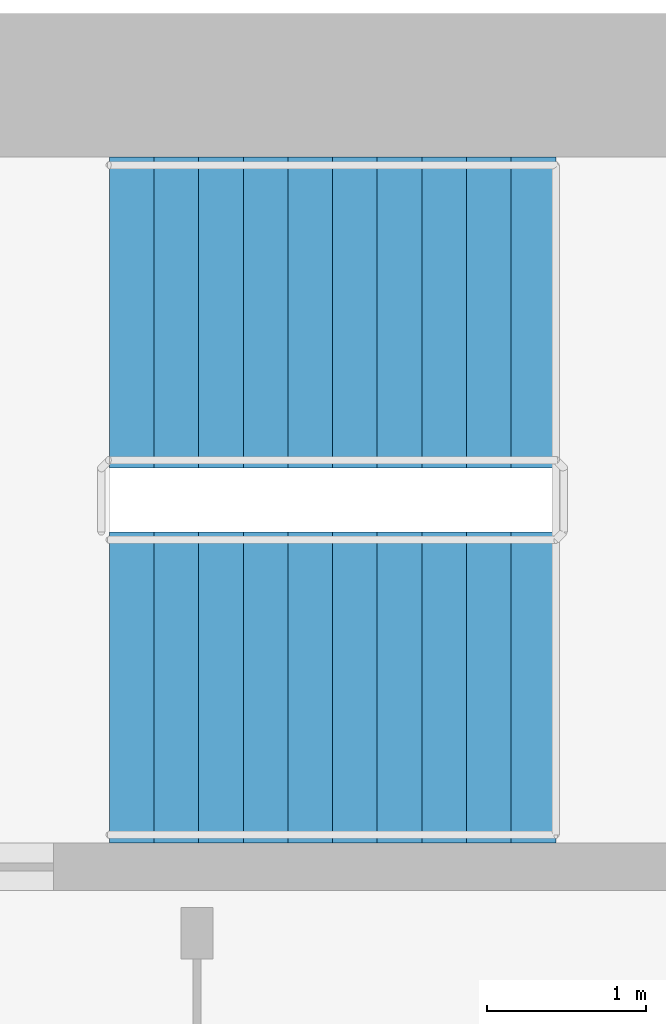
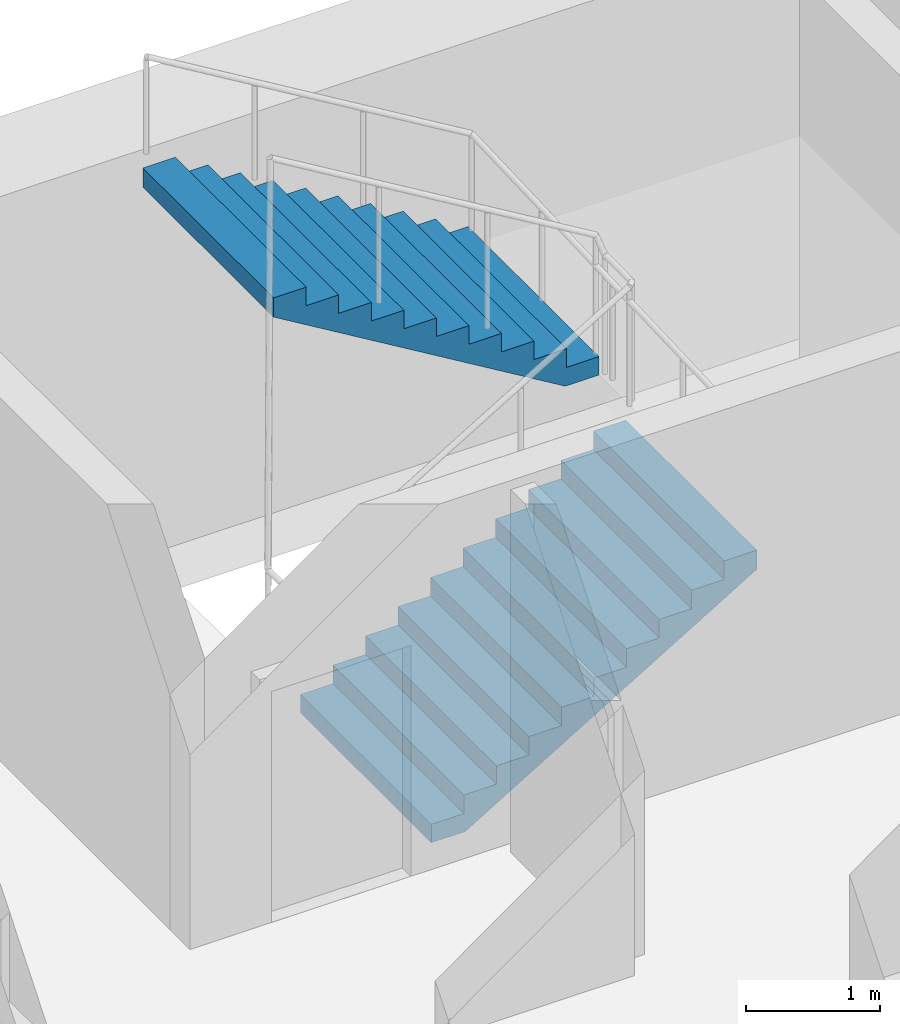
# One storey, part 17 of 22: 2 stair flights, 1 element without a shape of its own.
"""IFC4 building model written with IfcOpenShell, lengths in metres."""

import ifcopenshell
import ifcopenshell.guid

model = None  # the IFC model being written
_history = None  # IfcOwnerHistory: only IFC2X3 demands one
_inside = {}  # id of a spatial element -> (the spatial element, [elements in it])
_under = {}  # id of a project, library or spatial element -> (it, [spatial elements below it])
_declared = {}  # id of a project -> (the project, [libraries it declares])
_typed = {}  # id of a type object -> (the type object, [elements of that type])
_made_of = {}  # id of a material, layer set ... -> (it, [elements and type objects made of it])


def new_model(schema):
    """Start an empty IFC model of exactly this schema.

    Asked for "IFC4X3", IfcOpenShell would pick the latest addendum, in which some entities
    have other attributes; the version numbers below select the first issue.
    IFC2X3 requires an IfcOwnerHistory on every rooted entity: one is made here for all.
    """
    global model, _history
    if schema == "IFC4X3":
        model = ifcopenshell.file(schema_version=(4, 3, 0, 0))
    else:
        model = ifcopenshell.file(schema=schema)
    _inside.clear()
    _under.clear()
    _declared.clear()
    _typed.clear()
    _made_of.clear()
    _history = None
    if model.schema == "IFC2X3":
        org = make("IfcOrganization", Name="unknown")
        user = make(
            "IfcPersonAndOrganization",
            ThePerson=make("IfcPerson", FamilyName="unknown"),
            TheOrganization=org,
        )
        app = make(
            "IfcApplication",
            ApplicationDeveloper=org,
            Version="unknown",
            ApplicationFullName="unknown",
            ApplicationIdentifier="unknown",
        )
        _history = make(
            "IfcOwnerHistory",
            OwningUser=user,
            OwningApplication=app,
            ChangeAction="ADDED",
            CreationDate=0,
        )
    return model


def make(cls, **values):
    """One entity of the class cls with the attributes given. An attribute that is None is left unset."""
    return model.create_entity(
        cls, **{name: value for name, value in values.items() if value is not None}
    )


def rooted(cls, **values):
    """An entity with a GlobalId (a new one), such as an element, a storey or a relation."""
    return make(cls, GlobalId=ifcopenshell.guid.new(), OwnerHistory=_history, **values)


def si_unit(unit_type, name, prefix=None):
    """IfcSIUnit, for example si_unit("LENGTHUNIT", "METRE", prefix="MILLI")."""
    return make("IfcSIUnit", UnitType=unit_type, Prefix=prefix, Name=name)


def assignment(units):
    """IfcUnitAssignment: the units of a project."""
    return None if units is None else make("IfcUnitAssignment", Units=units)


def point(xyz):
    """IfcCartesianPoint."""
    return None if xyz is None else make("IfcCartesianPoint", Coordinates=xyz)


def direction(xyz):
    """IfcDirection."""
    return None if xyz is None else make("IfcDirection", DirectionRatios=xyz)


def frame(location, z_axis=None, x_axis=None):
    """IfcAxis2Placement3D, a coordinate frame: its origin and axes. An axis left out is left unset."""
    return make(
        "IfcAxis2Placement3D",
        Location=point(location),
        Axis=direction(z_axis),
        RefDirection=direction(x_axis),
    )


def origin():
    """The frame at (0, 0, 0) with its axes left unset."""
    return frame((0.0, 0.0, 0.0))


def place(relative_to, where):
    """IfcLocalPlacement: puts the frame where relative to a parent placement (None: the world)."""
    return make(
        "IfcLocalPlacement", PlacementRelTo=relative_to, RelativePlacement=where
    )


def context(
    kind, dimensions, precision=None, world=None, true_north=None, identifier=None
):
    """IfcGeometricRepresentationContext, for example the 3D "Model" context."""
    return make(
        "IfcGeometricRepresentationContext",
        ContextIdentifier=identifier,
        ContextType=kind,
        CoordinateSpaceDimension=dimensions,
        Precision=precision,
        WorldCoordinateSystem=world,
        TrueNorth=true_north,
    )


def subcontext(parent, identifier, kind, view, scale=None):
    """IfcGeometricRepresentationSubContext, for example "Body" below "Model"."""
    return make(
        "IfcGeometricRepresentationSubContext",
        ContextIdentifier=identifier,
        ContextType=kind,
        ParentContext=parent,
        TargetScale=scale,
        TargetView=view,
    )


def project(units=None, contexts=None):
    """IfcProject with its units and contexts."""
    return rooted(
        "IfcProject",
        Name="project",
        RepresentationContexts=contexts,
        UnitsInContext=assignment(units),
    )


def spatial(cls, under=None, at=None, **own):
    """A site, building, storey or space (cls), placed at a placement, below another one or the project."""
    s = rooted(cls, ObjectPlacement=at, **own)
    if under is not None:
        _under.setdefault(under.id(), (under, []))[1].append(s)
    return s


def polyline(points):
    """IfcPolyline through the points."""
    return make("IfcPolyline", Points=[point(p) for p in points])


def outline(outer, holes=None, kind="AREA"):
    """IfcArbitraryClosedProfileDef: a profile drawn as a closed curve; with holes, ...WithVoids."""
    if holes is None:
        return make("IfcArbitraryClosedProfileDef", ProfileType=kind, OuterCurve=outer)
    return make(
        "IfcArbitraryProfileDefWithVoids",
        ProfileType=kind,
        OuterCurve=outer,
        InnerCurves=holes,
    )


def extrude(swept, where, along, depth):
    """IfcExtrudedAreaSolid: the profile swept, set in the frame where, extruded along a direction by depth."""
    return make(
        "IfcExtrudedAreaSolid",
        SweptArea=swept,
        Position=where,
        ExtrudedDirection=direction(along),
        Depth=depth,
    )


def shape(context_of_items, identifier, shape_type, items):
    """IfcShapeRepresentation: the items that make up one representation, for example the "Body"."""
    return make(
        "IfcShapeRepresentation",
        ContextOfItems=context_of_items,
        RepresentationIdentifier=identifier,
        RepresentationType=shape_type,
        Items=items,
    )


def material(Name=None, Category=None):
    """IfcMaterial."""
    return make("IfcMaterial", Name=Name, Category=Category)


def made_of(thing, what):
    """Note that an element or type object is made of a material, layer set ...; save() writes the relation."""
    if what is not None:
        _made_of.setdefault(what.id(), (what, []))[1].append(thing)
    return thing


def type_object(cls, material=None, **own):
    """A type object (cls), such as IfcWallType, which elements share."""
    return made_of(rooted(cls, **own), material)


def element(
    cls,
    number,
    at=None,
    inside=None,
    cuts=None,
    type_object=None,
    material=None,
    context=None,
    identifier="Body",
    shape_type=None,
    held_by="IfcProductDefinitionShape",
    body=None,
    shapes=None,
    **own,
):
    """One element of the class cls, such as IfcWall. Its Tag is "e" and its number.

    at: its placement. inside: the storey or other place that contains it. cuts: it is an
    opening in that element (IfcRelVoidsElement). A single representation is given by context,
    identifier, shape_type and body (its items); several are given by shapes. held_by: the class
    of the entity that holds the representations. save() writes the other relations.
    """
    e = rooted(cls, Tag="e%d" % number, ObjectPlacement=at, **own)
    if body is not None:
        shapes = [shape(context, identifier, shape_type, body)]
    if shapes is not None:
        e.Representation = make(held_by, Representations=shapes)
    if inside is not None:
        _inside.setdefault(inside.id(), (inside, []))[1].append(e)
    if cuts is not None:
        rooted(
            "IfcRelVoidsElement", RelatingBuildingElement=cuts, RelatedOpeningElement=e
        )
    if type_object is not None:
        _typed.setdefault(type_object.id(), (type_object, []))[1].append(e)
    return made_of(e, material)


def aggregate(whole, parts):
    """IfcRelAggregates: a whole, such as a stair, and the parts it consists of."""
    return rooted("IfcRelAggregates", RelatingObject=whole, RelatedObjects=parts)


def save(model, path):
    """Write the relations noted so far, then the file.

    IfcRelAggregates (storeys below a building ...), IfcRelContainedInSpatialStructure (elements
    in a storey), IfcRelDefinesByType, IfcRelAssociatesMaterial and IfcRelDeclares: one each for
    every whole, place, type object, material and project.
    """
    for whole, parts in _under.values():
        aggregate(whole, parts)
    for where, things in _inside.values():
        rooted(
            "IfcRelContainedInSpatialStructure",
            RelatedElements=things,
            RelatingStructure=where,
        )
    for kind, things in _typed.values():
        rooted("IfcRelDefinesByType", RelatedObjects=things, RelatingType=kind)
    for what, things in _made_of.values():
        rooted("IfcRelAssociatesMaterial", RelatedObjects=things, RelatingMaterial=what)
    for by, libraries in _declared.values():
        rooted("IfcRelDeclares", RelatingContext=by, RelatedDefinitions=libraries)
    model.write(path)


model = new_model("IFC4")

# Units and contexts
model_context = context("Model", 3, precision=1e-05, world=origin(), true_north=direction((0.0, 1.0)))
body_context = subcontext(model_context, "Body", "Model", "MODEL_VIEW")
ifc_project = project(units=[si_unit("LENGTHUNIT", "METRE"), si_unit("AREAUNIT", "SQUARE_METRE"), si_unit("VOLUMEUNIT", "CUBIC_METRE"), si_unit("PLANEANGLEUNIT", "RADIAN"), si_unit("MASSUNIT", "GRAM", prefix="KILO")], contexts=[model_context])

# Site, building, storey
site_placement = place(None, origin())
site = spatial("IfcSite", under=ifc_project, at=site_placement, CompositionType="ELEMENT")
building_placement = place(site_placement, origin())
building = spatial("IfcBuilding", under=site, at=building_placement, Name="Hunhe Ridgeline Campus", CompositionType="ELEMENT")
storey_placement = place(building_placement, frame((0.0, 0.0, 141.199951171875)))
storey = spatial("IfcBuildingStorey", under=building, at=storey_placement, Name="L35", CompositionType="ELEMENT", Elevation=141.199951171875)

# Stair, stair flights
ifc_material = material(Name="Concrete C40", Category="concrete")
stair_type = type_object("IfcStairType", Name="Reinforced concrete dog-leg stair 1950 Concrete C40", PredefinedType="HALF_TURN_STAIR", material=ifc_material)
stair_placement = place(storey_placement, origin())
stair = element("IfcStair", 1, at=stair_placement, inside=storey, type_object=stair_type, Name="L35 E2", PredefinedType="HALF_TURN_STAIR")
stair_flight_type = type_object("IfcStairFlightType", Name="Reinforced concrete stair flight 1950 Concrete C40", PredefinedType="STRAIGHT", material=ifc_material)
stair_flight_1_placement = place(storey_placement, frame((51.64990234375, 94.77490234375, 0.0), z_axis=(0.0, 0.0, 1.0), x_axis=(1.0, 0.0, 0.0)))
stair_flight_1 = element("IfcStairFlight", 2, at=stair_flight_1_placement, type_object=stair_flight_type, Name="ST6 flight 1", NumberOfRisers=11, NumberOfTreads=10, PredefinedType="STRAIGHT", RiserHeight=0.168181818, TreadLength=0.28, context=body_context, shape_type="SweptSolid", body=[
    extrude(outline(polyline([(0.0, 0.0), (0.0, 0.168212890625), (0.280029296875, 0.168212890625), (0.280029296875, 0.33642578125), (0.56005859375, 0.33642578125), (0.56005859375, 0.504638671875), (0.840087890625, 0.504638671875), (0.840087890625, 0.672607421875), (1.1201171875, 0.672607421875), (1.1201171875, 0.8408203125), (1.39990234375, 0.8408203125), (1.39990234375, 1.009033203125), (1.679931640625, 1.009033203125), (1.679931640625, 1.17724609375), (1.9599609375, 1.17724609375), (1.9599609375, 1.345458984375), (2.239990234375, 1.345458984375), (2.239990234375, 1.513671875), (2.52001953125, 1.513671875), (2.52001953125, 1.681884765625), (2.800048828125, 1.681884765625), (2.800048828125, 1.85009765625), (2.800048828125, 1.5068359375), (0.291015625, 0.0), (0.0, 0.0)])), frame((0.0, 0.97509765625, 0.0), z_axis=(0.0, -1.0, 0.0), x_axis=(1.0, 0.0, 0.0)), (0.0, 0.0, 1.0), 1.949951171875),
    extrude(outline(polyline([(0.030029296875, 0.030029296875), (0.030029296875, 0.13818359375), (0.31005859375, 0.13818359375), (0.31005859375, 0.306396484375), (0.590087890625, 0.306396484375), (0.590087890625, 0.474609375), (0.8701171875, 0.474609375), (0.8701171875, 0.642578125), (1.14990234375, 0.642578125), (1.14990234375, 0.810791015625), (1.429931640625, 0.810791015625), (1.429931640625, 0.97900390625), (1.7099609375, 0.97900390625), (1.7099609375, 1.147216796875), (1.989990234375, 1.147216796875), (1.989990234375, 1.3154296875), (2.27001953125, 1.3154296875), (2.27001953125, 1.483642578125), (2.550048828125, 1.483642578125), (2.550048828125, 1.65185546875), (2.77001953125, 1.65185546875), (2.77001953125, 1.52392578125), (0.28271484375, 0.030029296875), (0.030029296875, 0.030029296875)])), frame((0.0, -0.070068359375, 0.0), z_axis=(0.0, -1.0, 0.0), x_axis=(1.0, 0.0, 0.0)), (0.0, 0.0, 1.0), 0.019775390625),
    extrude(outline(polyline([(0.030029296875, 0.030029296875), (0.030029296875, 0.13818359375), (0.31005859375, 0.13818359375), (0.31005859375, 0.306396484375), (0.590087890625, 0.306396484375), (0.590087890625, 0.474609375), (0.8701171875, 0.474609375), (0.8701171875, 0.642578125), (1.14990234375, 0.642578125), (1.14990234375, 0.810791015625), (1.429931640625, 0.810791015625), (1.429931640625, 0.97900390625), (1.7099609375, 0.97900390625), (1.7099609375, 1.147216796875), (1.989990234375, 1.147216796875), (1.989990234375, 1.3154296875), (2.27001953125, 1.3154296875), (2.27001953125, 1.483642578125), (2.550048828125, 1.483642578125), (2.550048828125, 1.65185546875), (2.77001953125, 1.65185546875), (2.77001953125, 1.52392578125), (0.28271484375, 0.030029296875), (0.030029296875, 0.030029296875)])), frame((0.0, 0.010009765625, 0.0), z_axis=(0.0, -1.0, 0.0), x_axis=(1.0, 0.0, 0.0)), (0.0, 0.0, 1.0), 0.019775390625),
    extrude(outline(polyline([(0.030029296875, 0.030029296875), (0.030029296875, 0.13818359375), (0.31005859375, 0.13818359375), (0.31005859375, 0.306396484375), (0.590087890625, 0.306396484375), (0.590087890625, 0.474609375), (0.8701171875, 0.474609375), (0.8701171875, 0.642578125), (1.14990234375, 0.642578125), (1.14990234375, 0.810791015625), (1.429931640625, 0.810791015625), (1.429931640625, 0.97900390625), (1.7099609375, 0.97900390625), (1.7099609375, 1.147216796875), (1.989990234375, 1.147216796875), (1.989990234375, 1.3154296875), (2.27001953125, 1.3154296875), (2.27001953125, 1.483642578125), (2.550048828125, 1.483642578125), (2.550048828125, 1.65185546875), (2.77001953125, 1.65185546875), (2.77001953125, 1.52392578125), (0.28271484375, 0.030029296875), (0.030029296875, 0.030029296875)])), frame((0.0, 0.090087890625, 0.0), z_axis=(0.0, -1.0, 0.0), x_axis=(1.0, 0.0, 0.0)), (0.0, 0.0, 1.0), 0.019775390625),
])
stair_flight_2_placement = place(storey_placement, frame((54.449951171875, 97.125, 1.85009765625), z_axis=(0.0, 0.0, 1.0), x_axis=(-1.0, 0.0, 0.0)))
stair_flight_2 = element("IfcStairFlight", 3, at=stair_flight_2_placement, type_object=stair_flight_type, Name="ST6 flight 2", NumberOfRisers=11, NumberOfTreads=10, PredefinedType="STRAIGHT", RiserHeight=0.168181818, TreadLength=0.28, context=body_context, shape_type="SweptSolid", body=[
    extrude(outline(polyline([(0.0, 0.0), (0.0, 0.168212890625), (0.280029296875, 0.168212890625), (0.280029296875, 0.33642578125), (0.56005859375, 0.33642578125), (0.56005859375, 0.504638671875), (0.840087890625, 0.504638671875), (0.840087890625, 0.672607421875), (1.1201171875, 0.672607421875), (1.1201171875, 0.8408203125), (1.39990234375, 0.8408203125), (1.39990234375, 1.009033203125), (1.679931640625, 1.009033203125), (1.679931640625, 1.17724609375), (1.9599609375, 1.17724609375), (1.9599609375, 1.345458984375), (2.239990234375, 1.345458984375), (2.239990234375, 1.513671875), (2.52001953125, 1.513671875), (2.52001953125, 1.681884765625), (2.800048828125, 1.681884765625), (2.800048828125, 1.85009765625), (2.800048828125, 1.5068359375), (0.291015625, 0.0), (0.0, 0.0)])), frame((0.0, 0.97509765625, 0.0), z_axis=(0.0, -1.0, 0.0), x_axis=(1.0, 0.0, 0.0)), (0.0, 0.0, 1.0), 1.949951171875),
    extrude(outline(polyline([(0.030029296875, 0.030029296875), (0.030029296875, 0.13818359375), (0.31005859375, 0.13818359375), (0.31005859375, 0.306396484375), (0.590087890625, 0.306396484375), (0.590087890625, 0.474609375), (0.8701171875, 0.474609375), (0.8701171875, 0.642578125), (1.14990234375, 0.642578125), (1.14990234375, 0.810791015625), (1.429931640625, 0.810791015625), (1.429931640625, 0.97900390625), (1.7099609375, 0.97900390625), (1.7099609375, 1.147216796875), (1.989990234375, 1.147216796875), (1.989990234375, 1.3154296875), (2.27001953125, 1.3154296875), (2.27001953125, 1.483642578125), (2.550048828125, 1.483642578125), (2.550048828125, 1.65185546875), (2.77001953125, 1.65185546875), (2.77001953125, 1.52392578125), (0.28271484375, 0.030029296875), (0.030029296875, 0.030029296875)])), frame((0.0, -0.070068359375, 0.0), z_axis=(0.0, -1.0, 0.0), x_axis=(1.0, 0.0, 0.0)), (0.0, 0.0, 1.0), 0.019775390625),
    extrude(outline(polyline([(0.030029296875, 0.030029296875), (0.030029296875, 0.13818359375), (0.31005859375, 0.13818359375), (0.31005859375, 0.306396484375), (0.590087890625, 0.306396484375), (0.590087890625, 0.474609375), (0.8701171875, 0.474609375), (0.8701171875, 0.642578125), (1.14990234375, 0.642578125), (1.14990234375, 0.810791015625), (1.429931640625, 0.810791015625), (1.429931640625, 0.97900390625), (1.7099609375, 0.97900390625), (1.7099609375, 1.147216796875), (1.989990234375, 1.147216796875), (1.989990234375, 1.3154296875), (2.27001953125, 1.3154296875), (2.27001953125, 1.483642578125), (2.550048828125, 1.483642578125), (2.550048828125, 1.65185546875), (2.77001953125, 1.65185546875), (2.77001953125, 1.52392578125), (0.28271484375, 0.030029296875), (0.030029296875, 0.030029296875)])), frame((0.0, 0.010009765625, 0.0), z_axis=(0.0, -1.0, 0.0), x_axis=(1.0, 0.0, 0.0)), (0.0, 0.0, 1.0), 0.019775390625),
    extrude(outline(polyline([(0.030029296875, 0.030029296875), (0.030029296875, 0.13818359375), (0.31005859375, 0.13818359375), (0.31005859375, 0.306396484375), (0.590087890625, 0.306396484375), (0.590087890625, 0.474609375), (0.8701171875, 0.474609375), (0.8701171875, 0.642578125), (1.14990234375, 0.642578125), (1.14990234375, 0.810791015625), (1.429931640625, 0.810791015625), (1.429931640625, 0.97900390625), (1.7099609375, 0.97900390625), (1.7099609375, 1.147216796875), (1.989990234375, 1.147216796875), (1.989990234375, 1.3154296875), (2.27001953125, 1.3154296875), (2.27001953125, 1.483642578125), (2.550048828125, 1.483642578125), (2.550048828125, 1.65185546875), (2.77001953125, 1.65185546875), (2.77001953125, 1.52392578125), (0.28271484375, 0.030029296875), (0.030029296875, 0.030029296875)])), frame((0.0, 0.090087890625, 0.0), z_axis=(0.0, -1.0, 0.0), x_axis=(1.0, 0.0, 0.0)), (0.0, 0.0, 1.0), 0.019775390625),
])
aggregate(stair, [stair_flight_1, stair_flight_2])

save(model, "model.ifc")
